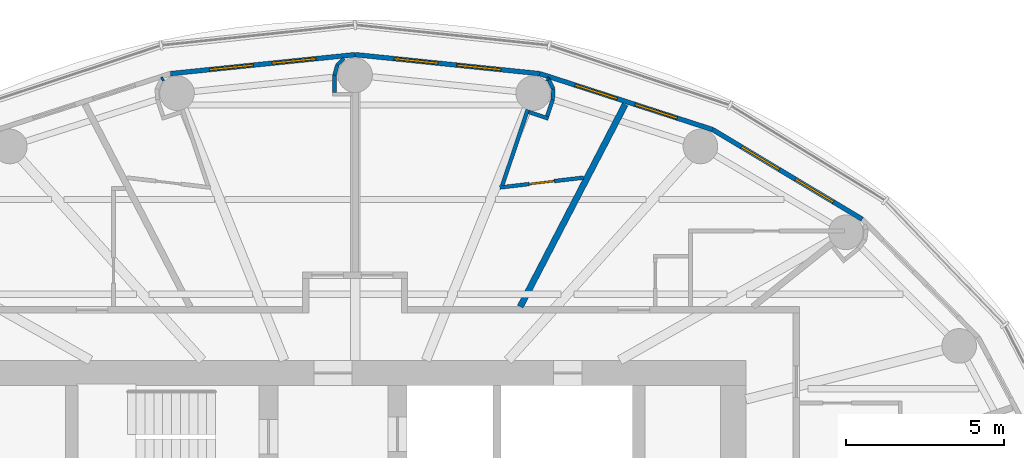
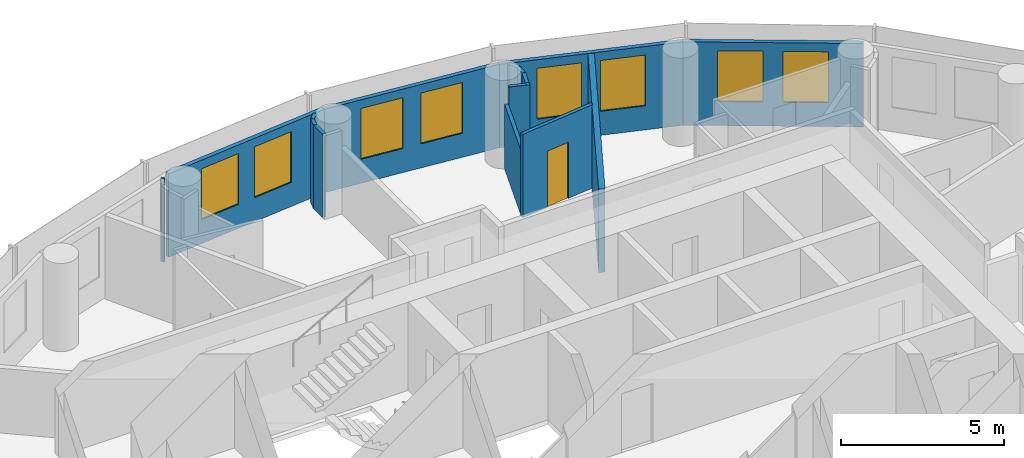
# One storey, part 13 of 16: 16 walls, 8 windows, 1 door, 9 openings.
"""IFC4 building model written with IfcOpenShell, lengths in metres."""

from ifc_helpers import new_model, si_unit, direction, frame, frame_2d, origin, place, context, subcontext, project, spatial, rectangle, extrude, material, layer, layer_set, type_object, element, fill, save


model = new_model("IFC4")

# Units and contexts
model_context = context("Model", 3, precision=1e-05, world=origin(), true_north=direction((0.0, 1.0)))
body_context = subcontext(model_context, "Body", "Model", "MODEL_VIEW")
ifc_project = project(units=[si_unit("LENGTHUNIT", "METRE"), si_unit("AREAUNIT", "SQUARE_METRE"), si_unit("VOLUMEUNIT", "CUBIC_METRE"), si_unit("PLANEANGLEUNIT", "RADIAN"), si_unit("MASSUNIT", "GRAM", prefix="KILO")], contexts=[model_context])

# Site, building, storey
site_placement = place(None, origin())
site = spatial("IfcSite", under=ifc_project, at=site_placement, CompositionType="ELEMENT")
building_placement = place(site_placement, origin())
building = spatial("IfcBuilding", under=site, at=building_placement, Name="Hankou Lantern Tower", CompositionType="ELEMENT")
storey_placement = place(building_placement, frame((0.0, 0.0, 153.300048828125)))
storey = spatial("IfcBuildingStorey", under=building, at=storey_placement, Name="L40", CompositionType="ELEMENT", Elevation=153.300048828125)

# Wall, openings, windows
ifc_material_1 = material(Name="Aluminium spandrel panel on steel studs", Category="steel")
ifc_layer_1 = layer(ifc_material_1, 0.14990234375)
ifc_layer_set_1 = layer_set([ifc_layer_1], Name="Aluminium spandrel panel on steel studs")
wall_type_1 = type_object("IfcWallType", Name="EW1 INNER SKIN WALL 150", PredefinedType="ELEMENTEDWALL", material=ifc_layer_set_1)
wall_1_placement = place(storey_placement, frame((16.0947265625, 12.875732421875, 0.0), z_axis=(0.0, 0.0, 1.0), x_axis=(-0.857695199231, 0.514158482587, 0.0)))
wall_1 = element("IfcWall", 1, at=wall_1_placement, inside=storey, type_object=wall_type_1, Name="Inner skin R04-R05 L40", PredefinedType="ELEMENTEDWALL", context=body_context, shape_type="SweptSolid", body=[
    extrude(rectangle(XDim=5.5361328125, YDim=0.14990234375, at=frame_2d((2.76806640625, 0.0))), origin(), (0.0, 0.0, 1.0), 3.119873046875),
])
opening_1_placement = place(wall_1_placement, frame((1.068115234375, 0.0, 0.89990234375)))
opening_1 = element("IfcOpeningElement", 2, at=opening_1_placement, cuts=wall_1, Name="Opening W3", PredefinedType="OPENING", context=body_context, shape_type="SweptSolid", body=[
    extrude(rectangle(XDim=1.39990234375, YDim=1.89990234375, at=frame_2d((0.699951171875, 0.949951171875))), frame((0.0, 0.0849609375, 0.0), z_axis=(0.0, -1.0, 0.0), x_axis=(1.0, 0.0, 0.0)), (0.0, 0.0, 1.0), 0.169921875),
])
opening_2_placement = place(wall_1_placement, frame((3.068115234375, 0.0, 0.89990234375)))
opening_2 = element("IfcOpeningElement", 3, at=opening_2_placement, cuts=wall_1, Name="Opening W3", PredefinedType="OPENING", context=body_context, shape_type="SweptSolid", body=[
    extrude(rectangle(XDim=1.39990234375, YDim=1.89990234375, at=frame_2d((0.699951171875, 0.949951171875))), frame((0.0, 0.0849609375, 0.0), z_axis=(0.0, -1.0, 0.0), x_axis=(1.0, 0.0, 0.0)), (0.0, 0.0, 1.0), 0.169921875),
])
ifc_material_2 = material(Name="Aluminium framed double glazed window", Category="aluminium")
window_type = type_object("IfcWindowType", Name="W3 GUEST ROOM WINDOW 1400X1900", PartitioningType="DOUBLE_PANEL_VERTICAL", PredefinedType="WINDOW", material=ifc_material_2)
window_1_placement = place(opening_1_placement, origin())
window_1 = element("IfcWindow", 4, at=window_1_placement, inside=storey, type_object=window_type, Name="Window R04.1 L40", OverallHeight=1.89990234375, OverallWidth=1.39990234375, PartitioningType="SINGLE_PANEL", PredefinedType="WINDOW", context=body_context, shape_type="SweptSolid", body=[
    extrude(rectangle(XDim=1.39990234375, YDim=1.89990234375, at=frame_2d((0.699951171875, 0.949951171875))), frame((0.0, 0.030029296875, 0.0), z_axis=(0.0, -1.0, 0.0), x_axis=(1.0, 0.0, 0.0)), (0.0, 0.0, 1.0), 0.06005859375),
])
fill(opening_1, window_1)
window_2_placement = place(opening_2_placement, origin())
window_2 = element("IfcWindow", 5, at=window_2_placement, inside=storey, type_object=window_type, Name="Window R04.2 L40", OverallHeight=1.89990234375, OverallWidth=1.39990234375, PartitioningType="SINGLE_PANEL", PredefinedType="WINDOW", context=body_context, shape_type="SweptSolid", body=[
    extrude(rectangle(XDim=1.39990234375, YDim=1.89990234375, at=frame_2d((0.699951171875, 0.949951171875))), frame((0.0, 0.030029296875, 0.0), z_axis=(0.0, -1.0, 0.0), x_axis=(1.0, 0.0, 0.0)), (0.0, 0.0, 1.0), 0.06005859375),
])
fill(opening_2, window_2)

wall_2_placement = place(storey_placement, frame((11.346435546875, 15.72216796875, 0.0), z_axis=(0.0, 0.0, 1.0), x_axis=(-0.951432482129, 0.307857486429, 0.0)))
wall_2 = element("IfcWall", 6, at=wall_2_placement, inside=storey, type_object=wall_type_1, Name="Inner skin R05-R06 L40", PredefinedType="ELEMENTEDWALL", context=body_context, shape_type="SweptSolid", body=[
    extrude(rectangle(XDim=5.76611328125, YDim=0.14990234375, at=frame_2d((2.883056640625, 0.0))), origin(), (0.0, 0.0, 1.0), 3.119873046875),
])
opening_3_placement = place(wall_2_placement, frame((1.18310546875, 0.0, 0.89990234375)))
opening_3 = element("IfcOpeningElement", 7, at=opening_3_placement, cuts=wall_2, Name="Opening W3", PredefinedType="OPENING", context=body_context, shape_type="SweptSolid", body=[
    extrude(rectangle(XDim=1.39990234375, YDim=1.89990234375, at=frame_2d((0.699951171875, 0.949951171875))), frame((0.0, 0.0849609375, 0.0), z_axis=(0.0, -1.0, 0.0), x_axis=(1.0, 0.0, 0.0)), (0.0, 0.0, 1.0), 0.169921875),
])
opening_4_placement = place(wall_2_placement, frame((3.18310546875, 0.0, 0.89990234375)))
opening_4 = element("IfcOpeningElement", 8, at=opening_4_placement, cuts=wall_2, Name="Opening W3", PredefinedType="OPENING", context=body_context, shape_type="SweptSolid", body=[
    extrude(rectangle(XDim=1.39990234375, YDim=1.89990234375, at=frame_2d((0.699951171875, 0.949951171875))), frame((0.0, 0.0849609375, 0.0), z_axis=(0.0, -1.0, 0.0), x_axis=(1.0, 0.0, 0.0)), (0.0, 0.0, 1.0), 0.169921875),
])
window_3_placement = place(opening_3_placement, origin())
window_3 = element("IfcWindow", 9, at=window_3_placement, inside=storey, type_object=window_type, Name="Window R05.1 L40", OverallHeight=1.89990234375, OverallWidth=1.39990234375, PartitioningType="SINGLE_PANEL", PredefinedType="WINDOW", context=body_context, shape_type="SweptSolid", body=[
    extrude(rectangle(XDim=1.39990234375, YDim=1.89990234375, at=frame_2d((0.699951171875, 0.949951171875))), frame((0.0, 0.030029296875, 0.0), z_axis=(0.0, -1.0, 0.0), x_axis=(1.0, 0.0, 0.0)), (0.0, 0.0, 1.0), 0.06005859375),
])
fill(opening_3, window_3)
window_4_placement = place(opening_4_placement, origin())
window_4 = element("IfcWindow", 10, at=window_4_placement, inside=storey, type_object=window_type, Name="Window R05.2 L40", OverallHeight=1.89990234375, OverallWidth=1.39990234375, PartitioningType="SINGLE_PANEL", PredefinedType="WINDOW", context=body_context, shape_type="SweptSolid", body=[
    extrude(rectangle(XDim=1.39990234375, YDim=1.89990234375, at=frame_2d((0.699951171875, 0.949951171875))), frame((0.0, 0.030029296875, 0.0), z_axis=(0.0, -1.0, 0.0), x_axis=(1.0, 0.0, 0.0)), (0.0, 0.0, 1.0), 0.06005859375),
])
fill(opening_4, window_4)

wall_3_placement = place(storey_placement, frame((5.8603515625, 17.497314453125, 0.0), z_axis=(0.0, 0.0, 1.0), x_axis=(-0.994751738032, 0.102318032045, 0.0)))
wall_3 = element("IfcWall", 11, at=wall_3_placement, inside=storey, type_object=wall_type_1, Name="Inner skin R06-R07 L40", PredefinedType="ELEMENTEDWALL", context=body_context, shape_type="SweptSolid", body=[
    extrude(rectangle(XDim=5.891357421875, YDim=0.14990234375, at=frame_2d((2.94580078125, 0.0))), origin(), (0.0, 0.0, 1.0), 3.119873046875),
])
opening_5_placement = place(wall_3_placement, frame((1.24560546875, 0.0, 0.89990234375)))
opening_5 = element("IfcOpeningElement", 12, at=opening_5_placement, cuts=wall_3, Name="Opening W3", PredefinedType="OPENING", context=body_context, shape_type="SweptSolid", body=[
    extrude(rectangle(XDim=1.39990234375, YDim=1.89990234375, at=frame_2d((0.699951171875, 0.949951171875))), frame((0.0, 0.0849609375, 0.0), z_axis=(0.0, -1.0, 0.0), x_axis=(1.0, 0.0, 0.0)), (0.0, 0.0, 1.0), 0.169921875),
])
opening_6_placement = place(wall_3_placement, frame((3.24560546875, 0.0, 0.89990234375)))
opening_6 = element("IfcOpeningElement", 13, at=opening_6_placement, cuts=wall_3, Name="Opening W3", PredefinedType="OPENING", context=body_context, shape_type="SweptSolid", body=[
    extrude(rectangle(XDim=1.39990234375, YDim=1.89990234375, at=frame_2d((0.699951171875, 0.949951171875))), frame((0.0, 0.0849609375, 0.0), z_axis=(0.0, -1.0, 0.0), x_axis=(1.0, 0.0, 0.0)), (0.0, 0.0, 1.0), 0.169921875),
])
window_5_placement = place(opening_5_placement, origin())
window_5 = element("IfcWindow", 14, at=window_5_placement, inside=storey, type_object=window_type, Name="Window R06.1 L40", OverallHeight=1.89990234375, OverallWidth=1.39990234375, PartitioningType="SINGLE_PANEL", PredefinedType="WINDOW", context=body_context, shape_type="SweptSolid", body=[
    extrude(rectangle(XDim=1.39990234375, YDim=1.89990234375, at=frame_2d((0.699951171875, 0.949951171875))), frame((0.0, 0.030029296875, 0.0), z_axis=(0.0, -1.0, 0.0), x_axis=(1.0, 0.0, 0.0)), (0.0, 0.0, 1.0), 0.06005859375),
])
fill(opening_5, window_5)
window_6_placement = place(opening_6_placement, origin())
window_6 = element("IfcWindow", 15, at=window_6_placement, inside=storey, type_object=window_type, Name="Window R06.2 L40", OverallHeight=1.89990234375, OverallWidth=1.39990234375, PartitioningType="SINGLE_PANEL", PredefinedType="WINDOW", context=body_context, shape_type="SweptSolid", body=[
    extrude(rectangle(XDim=1.39990234375, YDim=1.89990234375, at=frame_2d((0.699951171875, 0.949951171875))), frame((0.0, 0.030029296875, 0.0), z_axis=(0.0, -1.0, 0.0), x_axis=(1.0, 0.0, 0.0)), (0.0, 0.0, 1.0), 0.06005859375),
])
fill(opening_6, window_6)

wall_4_placement = place(storey_placement, frame((0.0, 18.10009765625, 0.0), z_axis=(0.0, 0.0, 1.0), x_axis=(-0.994751738032, -0.102318032045, 0.0)))
wall_4 = element("IfcWall", 16, at=wall_4_placement, inside=storey, type_object=wall_type_1, Name="Inner skin R07-R08 L40", PredefinedType="ELEMENTEDWALL", context=body_context, shape_type="SweptSolid", body=[
    extrude(rectangle(XDim=5.891357421875, YDim=0.14990234375, at=frame_2d((2.94580078125, 0.0))), origin(), (0.0, 0.0, 1.0), 3.119873046875),
])
opening_7_placement = place(wall_4_placement, frame((1.24560546875, 0.0, 0.89990234375)))
opening_7 = element("IfcOpeningElement", 17, at=opening_7_placement, cuts=wall_4, Name="Opening W3", PredefinedType="OPENING", context=body_context, shape_type="SweptSolid", body=[
    extrude(rectangle(XDim=1.39990234375, YDim=1.89990234375, at=frame_2d((0.699951171875, 0.949951171875))), frame((0.0, 0.0849609375, 0.0), z_axis=(0.0, -1.0, 0.0), x_axis=(1.0, 0.0, 0.0)), (0.0, 0.0, 1.0), 0.169921875),
])
opening_8_placement = place(wall_4_placement, frame((3.24560546875, 0.0, 0.89990234375)))
opening_8 = element("IfcOpeningElement", 18, at=opening_8_placement, cuts=wall_4, Name="Opening W3", PredefinedType="OPENING", context=body_context, shape_type="SweptSolid", body=[
    extrude(rectangle(XDim=1.39990234375, YDim=1.89990234375, at=frame_2d((0.699951171875, 0.949951171875))), frame((0.0, 0.0849609375, 0.0), z_axis=(0.0, -1.0, 0.0), x_axis=(1.0, 0.0, 0.0)), (0.0, 0.0, 1.0), 0.169921875),
])
window_7_placement = place(opening_7_placement, origin())
window_7 = element("IfcWindow", 19, at=window_7_placement, inside=storey, type_object=window_type, Name="Window R07.1 L40", OverallHeight=1.89990234375, OverallWidth=1.39990234375, PartitioningType="SINGLE_PANEL", PredefinedType="WINDOW", context=body_context, shape_type="SweptSolid", body=[
    extrude(rectangle(XDim=1.39990234375, YDim=1.89990234375, at=frame_2d((0.699951171875, 0.949951171875))), frame((0.0, 0.030029296875, 0.0), z_axis=(0.0, -1.0, 0.0), x_axis=(1.0, 0.0, 0.0)), (0.0, 0.0, 1.0), 0.06005859375),
])
fill(opening_7, window_7)
window_8_placement = place(opening_8_placement, origin())
window_8 = element("IfcWindow", 20, at=window_8_placement, inside=storey, type_object=window_type, Name="Window R07.2 L40", OverallHeight=1.89990234375, OverallWidth=1.39990234375, PartitioningType="SINGLE_PANEL", PredefinedType="WINDOW", context=body_context, shape_type="SweptSolid", body=[
    extrude(rectangle(XDim=1.39990234375, YDim=1.89990234375, at=frame_2d((0.699951171875, 0.949951171875))), frame((0.0, 0.030029296875, 0.0), z_axis=(0.0, -1.0, 0.0), x_axis=(1.0, 0.0, 0.0)), (0.0, 0.0, 1.0), 0.06005859375),
])
fill(opening_8, window_8)

# Wall
ifc_material_3 = material(Name="Masonry lightweight concrete block", Category="masonry")
ifc_layer_2 = layer(ifc_material_3, 0.199951171875)
ifc_layer_set_2 = layer_set([ifc_layer_2], Name="Masonry lightweight concrete block")
wall_type_2 = type_object("IfcWallType", Name="IW1 GUEST ROOM PARTY WALL 200", PredefinedType="PARTITIONING", material=ifc_layer_set_2)
wall_5_placement = place(storey_placement, frame((5.239990234375, 10.10009765625, 0.0), z_axis=(0.0, 0.0, 1.0), x_axis=(0.460532965373, 0.887642601391, 0.0)))
element("IfcWall", 21, at=wall_5_placement, inside=storey, type_object=wall_type_2, Name="Party wall R05-R06", PredefinedType="PARTITIONING", context=body_context, shape_type="SweptSolid", body=[
    extrude(rectangle(XDim=7.2314453125, YDim=0.199951171875, at=frame_2d((3.61572265625, 0.0))), origin(), (0.0, 0.0, 1.0), 3.119873046875),
])

# Wall, opening, door
ifc_material_4 = material(Name="Masonry lightweight concrete block", Category="masonry")
ifc_layer_3 = layer(ifc_material_4, 0.1201171875)
ifc_layer_set_3 = layer_set([ifc_layer_3], Name="Masonry lightweight concrete block")
wall_type_3 = type_object("IfcWallType", Name="IW3 BATHROOM WALL 120", PredefinedType="PARTITIONING", material=ifc_layer_set_3)
wall_6_placement = place(storey_placement, frame((7.2529296875, 14.197021484375, 0.0), z_axis=(0.0, 0.0, 1.0), x_axis=(-0.993128188393, -0.117031625725, 0.0)))
wall_6 = element("IfcWall", 22, at=wall_6_placement, inside=storey, type_object=wall_type_3, Name="Box wall 4003 1", PredefinedType="PARTITIONING", context=body_context, shape_type="SweptSolid", body=[
    extrude(rectangle(XDim=2.678466796875, YDim=0.1201171875, at=frame_2d((1.33935546875, 0.0))), origin(), (0.0, 0.0, 1.0), 3.119873046875),
])
opening_9_placement = place(wall_6_placement, frame((0.939208984375, 0.0, 0.0)))
opening_9 = element("IfcOpeningElement", 23, at=opening_9_placement, cuts=wall_6, Name="Opening D3", PredefinedType="OPENING", context=body_context, shape_type="SweptSolid", body=[
    extrude(rectangle(XDim=0.800048828125, YDim=2.10009765625, at=frame_2d((0.39990234375, 1.050048828125))), frame((0.0, 0.070068359375, 0.0), z_axis=(0.0, -1.0, 0.0), x_axis=(1.0, 0.0, 0.0)), (0.0, 0.0, 1.0), 0.14013671875),
])
ifc_material_5 = material(Name="Timber door leaf", Category="wood")
door_type = type_object("IfcDoorType", Name="D3 BATHROOM DOOR 800X2100", OperationType="SINGLE_SWING_LEFT", PredefinedType="DOOR", material=ifc_material_5)
door_placement = place(opening_9_placement, origin())
door = element("IfcDoor", 24, at=door_placement, inside=storey, type_object=door_type, Name="En-suite bathroom 4003 door", OperationType="SINGLE_SWING_LEFT", OverallHeight=2.10009765625, OverallWidth=0.800048828125, PredefinedType="DOOR", context=body_context, shape_type="SweptSolid", body=[
    extrude(rectangle(XDim=0.800048828125, YDim=2.10009765625, at=frame_2d((0.39990234375, 1.050048828125))), frame((0.0, 0.02490234375, 0.0), z_axis=(0.0, -1.0, 0.0), x_axis=(1.0, 0.0, 0.0)), (0.0, 0.0, 1.0), 0.050048828125),
])
fill(opening_9, door)

# Walls
wall_7_placement = place(storey_placement, frame((4.67138671875, 13.947509765625, 0.0), z_axis=(0.0, 0.0, 1.0), x_axis=(0.317669167093, 0.948201613729, 0.0)))
element("IfcWall", 25, at=wall_7_placement, inside=storey, type_object=wall_type_3, Name="Box wall 4003 2", PredefinedType="PARTITIONING", context=body_context, shape_type="SweptSolid", body=[
    extrude(rectangle(XDim=2.5400390625, YDim=0.1201171875, at=frame_2d((1.27001953125, 0.0))), origin(), (0.0, 0.0, 1.0), 2.419921875),
])
wall_8_placement = place(storey_placement, frame((5.51611328125, 16.280029296875, 0.0), z_axis=(0.0, 0.0, 1.0), x_axis=(0.948157944392, -0.317799484717, 0.0)))
element("IfcWall", 26, at=wall_8_placement, inside=storey, type_object=wall_type_3, Name="Column casing 4003 return", PredefinedType="PARTITIONING", context=body_context, shape_type="SweptSolid", body=[
    extrude(rectangle(XDim=0.652099609375, YDim=0.1201171875, at=frame_2d((0.326171875, 0.0))), origin(), (0.0, 0.0, 1.0), 3.119873046875),
])
wall_9_placement = place(storey_placement, frame((6.0966796875, 16.148681640625, 0.0), z_axis=(0.0, 0.0, 1.0), x_axis=(0.317292604854, 0.948327687514, 0.0)))
element("IfcWall", 27, at=wall_9_placement, inside=storey, type_object=wall_type_3, Name="Column casing 4003", PredefinedType="PARTITIONING", context=body_context, shape_type="SweptSolid", body=[
    extrude(rectangle(XDim=0.550048828125, YDim=0.1201171875, at=frame_2d((0.27490234375, 0.0))), origin(), (0.0, 0.0, 1.0), 3.119873046875),
])
for number, where, z_axis, x_axis, name in (
    (28, (6.271240234375, 16.67041015625, 0.0), (0.0, 0.0, 1.0), (0.061477694849, 0.998108457552, 0.0), "Column casing 4003"),
    (29, (6.2919921875, 17.00732421875, 0.0), (0.0, 0.0, 1.0), (-0.445477128334, 0.895293319606, 0.0), "Column casing 4003"),
):
    element("IfcWall", number, at=place(storey_placement, frame(where, z_axis=z_axis, x_axis=x_axis)), inside=storey, type_object=wall_type_3, Name=name, PredefinedType="PARTITIONING", context=body_context, shape_type="SweptSolid", body=[
        extrude(rectangle(XDim=0.337646484375, YDim=0.1201171875, at=frame_2d((0.1689453125, 0.0))), origin(), (0.0, 0.0, 1.0), 3.119873046875),
    ])
for number, where, z_axis, x_axis, name in (
    (30, (6.1416015625, 17.3095703125, 0.0), (0.0, 0.0, 1.0), (-0.835039693181, 0.550189704386, 0.0), "Column casing 4003"),
    (31, (-6.1416015625, 17.3095703125, 0.0), (0.0, 0.0, 1.0), (0.835039693181, 0.550189704386, 0.0), "Column casing 4004"),
):
    element("IfcWall", number, at=place(storey_placement, frame(where, z_axis=z_axis, x_axis=x_axis)), inside=storey, type_object=wall_type_3, Name=name, PredefinedType="PARTITIONING", context=body_context, shape_type="SweptSolid", body=[
        extrude(rectangle(XDim=0.0625, YDim=0.1201171875, at=frame_2d((0.03125, 0.0))), origin(), (0.0, 0.0, 1.0), 3.119873046875),
    ])
ifc_material_6 = material(Name="Masonry lightweight concrete block", Category="masonry")
ifc_layer_4 = layer(ifc_material_6, 0.1201171875)
ifc_layer_set_4 = layer_set([ifc_layer_4], Name="Masonry lightweight concrete block")
wall_type_4 = type_object("IfcWallType", Name="IW4 PARTITION 120", PredefinedType="PARTITIONING", material=ifc_layer_set_4)
wall_10_placement = place(storey_placement, frame((-0.65234375, 16.89990234375, 0.0), z_axis=(0.0, 0.0, 1.0), x_axis=(0.0, 1.0, 0.0)))
element("IfcWall", 32, at=wall_10_placement, inside=storey, type_object=wall_type_4, Name="Column casing R07", PredefinedType="PARTITIONING", context=body_context, shape_type="SweptSolid", body=[
    extrude(rectangle(XDim=0.550048828125, YDim=0.1201171875, at=frame_2d((0.27490234375, 0.0))), origin(), (0.0, 0.0, 1.0), 3.119873046875),
])
wall_11_placement = place(storey_placement, frame((-0.65234375, 17.449951171875, 0.0), z_axis=(0.0, 0.0, 1.0), x_axis=(0.258832454679, 0.965922233104, 0.0)))
element("IfcWall", 33, at=wall_11_placement, inside=storey, type_object=wall_type_4, Name="Column casing R07", PredefinedType="PARTITIONING", context=body_context, shape_type="SweptSolid", body=[
    extrude(rectangle(XDim=0.337646484375, YDim=0.1201171875, at=frame_2d((0.1689453125, 0.0))), origin(), (0.0, 0.0, 1.0), 3.119873046875),
])
wall_12_placement = place(storey_placement, frame((-0.56494140625, 17.776123046875, 0.0), z_axis=(0.0, 0.0, 1.0), x_axis=(0.707106781187, 0.707106781187, 0.0)))
element("IfcWall", 34, at=wall_12_placement, inside=storey, type_object=wall_type_4, Name="Column casing R07", PredefinedType="PARTITIONING", context=body_context, shape_type="SweptSolid", body=[
    extrude(rectangle(XDim=0.30078125, YDim=0.1201171875, at=frame_2d((0.150390625, 0.0))), origin(), (0.0, 0.0, 1.0), 3.119873046875),
])

save(model, "model.ifc")
